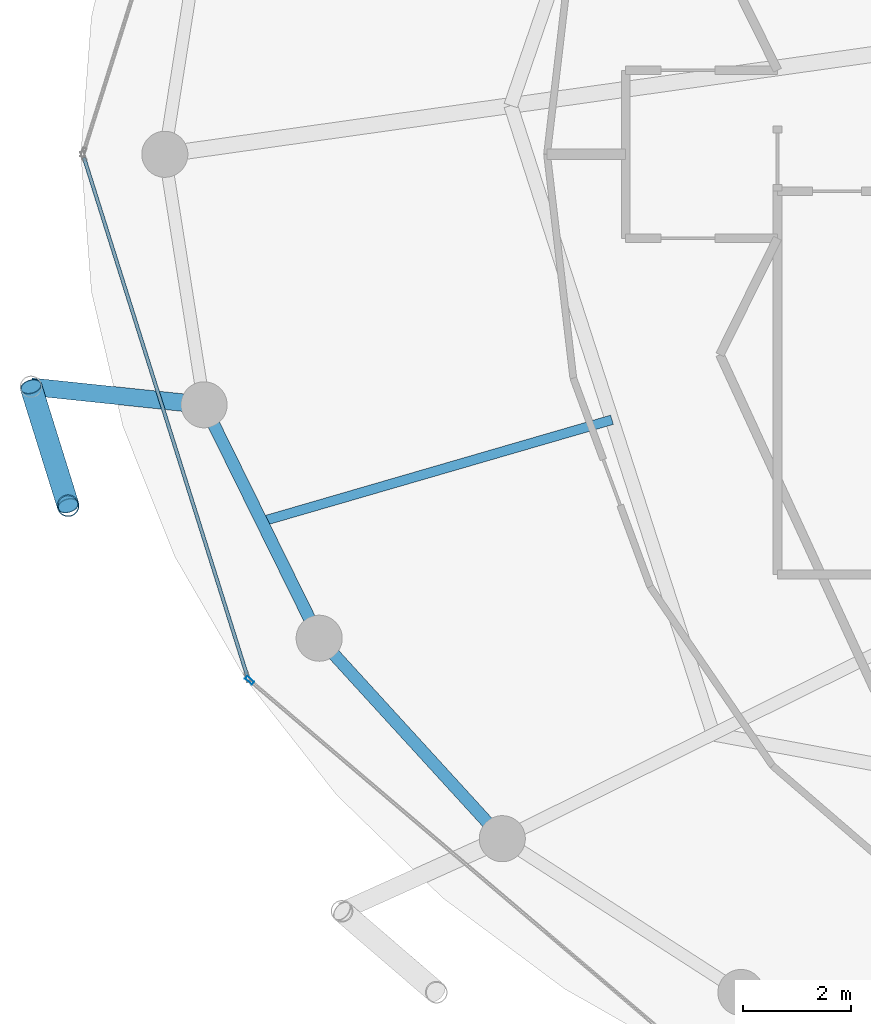
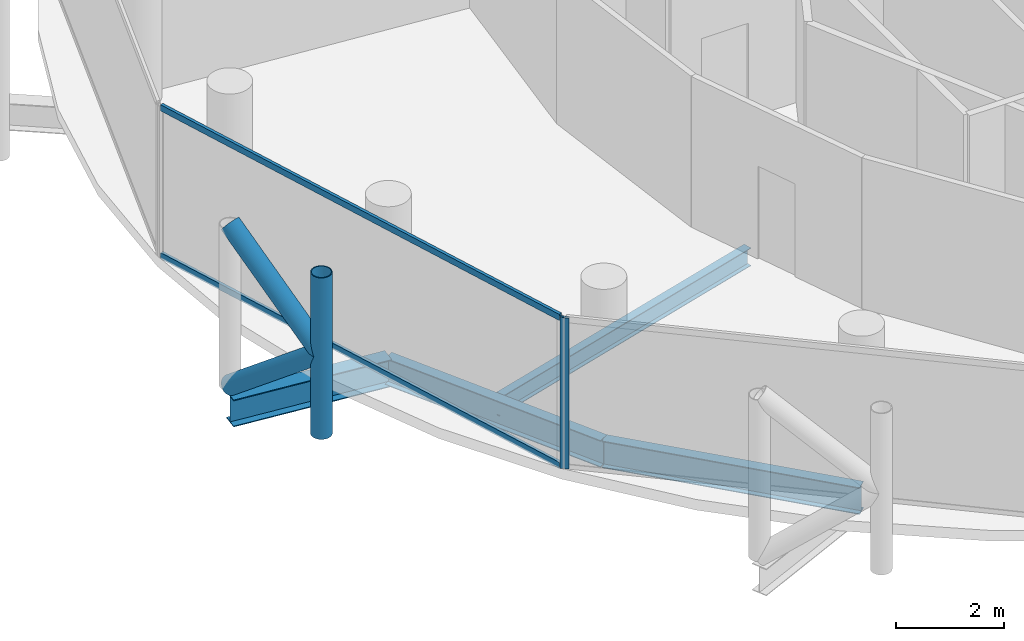
# One storey, part 3 of 27: 6 members, 4 beams, 2 elements without a shape of their own.
"""IFC4 building model written with IfcOpenShell, lengths in metres."""

from ifc_helpers import new_model, si_unit, direction, frame, origin, origin_2d, place, context, subcontext, project, spatial, hollow_rectangle, hollow_circle, i_section, extrude, material, layer, layer_set, material_profile, profile_set, type_object, element, aggregate, save


model = new_model("IFC4")

# Units and contexts
model_context = context("Model", 3, precision=1e-05, world=origin(), true_north=direction((0.0, 1.0)))
body_context = subcontext(model_context, "Body", "Model", "MODEL_VIEW")
ifc_project = project(units=[si_unit("LENGTHUNIT", "METRE"), si_unit("AREAUNIT", "SQUARE_METRE"), si_unit("VOLUMEUNIT", "CUBIC_METRE"), si_unit("PLANEANGLEUNIT", "RADIAN"), si_unit("MASSUNIT", "GRAM", prefix="KILO")], contexts=[model_context])

# Site, building, storey
site_placement = place(None, origin())
site = spatial("IfcSite", under=ifc_project, at=site_placement, CompositionType="ELEMENT")
building_placement = place(site_placement, origin())
building = spatial("IfcBuilding", under=site, at=building_placement, Name="Nuhasar Tower", CompositionType="ELEMENT")
storey_placement = place(building_placement, frame((0.0, 0.0, 248.300048828125)))
storey = spatial("IfcBuildingStorey", under=building, at=storey_placement, Name="L61", CompositionType="ELEMENT", Elevation=248.300048828125)

# Beams
ifc_material_1 = material(Name="Steel S355", Category="steel")
ifc_material_profile_1 = material_profile(ifc_material_1, i_section(OverallWidth=0.177978515625, OverallDepth=0.406005859375, WebThickness=0.0078125, FlangeThickness=0.0126953125, at=origin_2d()), Name="W16X40")
ifc_profile_set_1 = profile_set([ifc_material_profile_1], Name="Steel S355")
beam_type_1 = type_object("IfcBeamType", Name="BM-JST-W16X40", PredefinedType="JOIST", material=ifc_profile_set_1)
beam_1_placement = place(storey_placement, frame((25.9970703125, 21.904052734375, -0.443115234375), z_axis=(-0.960312689798, -0.27892568511, 0.0), x_axis=(0.27892568511, -0.960312689798, 0.0)))
element("IfcBeam", 1, at=beam_1_placement, inside=storey, type_object=beam_type_1, Name="L61 Secondary Floor Joist 08", PredefinedType="JOIST", context=body_context, shape_type="SweptSolid", body=[
    extrude(i_section(OverallWidth=0.177978515625, OverallDepth=0.406005859375, WebThickness=0.0078125, FlangeThickness=0.0126953125, at=origin_2d()), origin(), (0.0, 0.0, 1.0), 6.729248046875),
])
ifc_material_profile_2 = material_profile(ifc_material_1, i_section(OverallWidth=0.22802734375, OverallDepth=0.60791015625, WebThickness=0.01123046875, FlangeThickness=0.017333984375, at=origin_2d()), Name="W24X76")
ifc_profile_set_2 = profile_set([ifc_material_profile_2], Name="Steel S355")
beam_type_2 = type_object("IfcBeamType", Name="BM-RING-W24X76", PredefinedType="SPANDREL", material=ifc_profile_set_2)
beam_2_placement = place(storey_placement, frame((18.47412109375, 22.179931640625, -0.5439453125), z_axis=(0.442262779282, -0.896885518928, 0.0), x_axis=(0.896885518928, 0.442262779282, 0.0)))
element("IfcBeam", 2, at=beam_2_placement, inside=storey, type_object=beam_type_2, Name="L61 Perimeter Ring Spandrel 14", PredefinedType="SPANDREL", context=body_context, shape_type="SweptSolid", body=[
    extrude(i_section(OverallWidth=0.22802734375, OverallDepth=0.60791015625, WebThickness=0.01123046875, FlangeThickness=0.017333984375, at=origin_2d()), origin(), (0.0, 0.0, 1.0), 4.7998046875),
])
beam_3_placement = place(storey_placement, frame((20.596923828125, 17.875, -0.5439453125), z_axis=(0.674449692975, -0.738320805373, 0.0), x_axis=(0.738320805373, 0.674449692975, 0.0)))
element("IfcBeam", 3, at=beam_3_placement, inside=storey, type_object=beam_type_2, Name="L61 Perimeter Ring Spandrel 15", PredefinedType="SPANDREL", context=body_context, shape_type="SweptSolid", body=[
    extrude(i_section(OverallWidth=0.22802734375, OverallDepth=0.60791015625, WebThickness=0.01123046875, FlangeThickness=0.017333984375, at=origin_2d()), origin(), (0.0, 0.0, 1.0), 5.00732421875),
])
ifc_material_profile_3 = material_profile(ifc_material_1, i_section(OverallWidth=0.323974609375, OverallDepth=0.611083984375, WebThickness=0.0126953125, FlangeThickness=0.01904296875, at=origin_2d()), Name="W24X104")
ifc_profile_set_3 = profile_set([ifc_material_profile_3], Name="Steel S355")
beam_type_3 = type_object("IfcBeamType", Name="BM-TIE-W24X104", PredefinedType="BEAM", material=ifc_profile_set_3)
beam_4_placement = place(storey_placement, frame((18.47412109375, 22.179931640625, -0.545166015625), z_axis=(-0.994571111079, 0.10405914187, 0.0), x_axis=(-0.10405914187, -0.994571111079, 0.0)))
element("IfcBeam", 4, at=beam_4_placement, inside=storey, type_object=beam_type_3, Name="L61 Exoskeleton Node Tie Beam 07", PredefinedType="BEAM", context=body_context, shape_type="SweptSolid", body=[
    extrude(i_section(OverallWidth=0.323974609375, OverallDepth=0.611083984375, WebThickness=0.0126953125, FlangeThickness=0.01904296875, at=origin_2d()), origin(), (0.0, 0.0, 1.0), 3.20947265625),
])

# Curtain wall, member
ifc_material_2 = material(Name="Aluminium 6063-T6", Category="aluminium")
ifc_layer = layer(ifc_material_2, 0.18994140625)
ifc_layer_set = layer_set([ifc_layer], Name="Aluminium 6063-T6")
curtain_wall_type = type_object("IfcCurtainWallType", Name="CW-Z3-RES", PredefinedType="NOTDEFINED", material=ifc_layer_set)
curtain_wall_1_placement = place(storey_placement, origin())
curtain_wall_1 = element("IfcCurtainWall", 5, at=curtain_wall_1_placement, inside=storey, type_object=curtain_wall_type, Name="L61 Unitised Curtain Wall 08", PredefinedType="NOTDEFINED")
ifc_material_profile_4 = material_profile(ifc_material_2, hollow_rectangle(XDim=0.06494140625, YDim=0.169921875, WallThickness=0.0048828125, at=origin_2d()), Name="CWM-4")
ifc_profile_set_4 = profile_set([ifc_material_profile_4], Name="Aluminium 6063-T6")
member_type_1 = type_object("IfcMemberType", Name="CW-MUL-S4", PredefinedType="MULLION", material=ifc_profile_set_4)
member_1_placement = place(storey_placement, frame((19.313720703125, 17.098876953125, 0.0), z_axis=(0.0, 0.0, 1.0), x_axis=(0.64789521578, 0.761729472562, 0.0)))
member_1 = element("IfcMember", 6, at=member_1_placement, type_object=member_type_1, Name="CW-Z3 mullion 1", PredefinedType="MULLION", context=body_context, shape_type="SweptSolid", body=[
    extrude(hollow_rectangle(XDim=0.06494140625, YDim=0.169921875, WallThickness=0.0048828125, at=origin_2d()), origin(), (0.0, 0.0, 1.0), 3.409912109375),
])
aggregate(curtain_wall_1, [member_1])

# Curtain wall, members
curtain_wall_2_placement = place(storey_placement, origin())
curtain_wall_2 = element("IfcCurtainWall", 7, at=curtain_wall_2_placement, inside=storey, type_object=curtain_wall_type, Name="L61 Unitised Curtain Wall 07", PredefinedType="NOTDEFINED")
ifc_material_profile_5 = material_profile(ifc_material_2, hollow_rectangle(XDim=0.06494140625, YDim=0.139892578125, WallThickness=0.00439453125, at=origin_2d()), Name="CWT-4")
ifc_profile_set_5 = profile_set([ifc_material_profile_5], Name="Aluminium 6063-T6")
member_type_2 = type_object("IfcMemberType", Name="CW-TRN-S4", PredefinedType="USERDEFINED", material=ifc_profile_set_5)
member_2_placement = place(storey_placement, frame((16.259521484375, 26.738037109375, 0.032470703125), z_axis=(0.300430390604, -0.953803743126, 0.0), x_axis=(0.953803743126, 0.300430390604, 0.0)))
member_2 = element("IfcMember", 8, at=member_2_placement, type_object=member_type_2, Name="CW-Z3 transom 1.1", ObjectType="TRANSOM", PredefinedType="USERDEFINED", context=body_context, shape_type="SweptSolid", body=[
    extrude(hollow_rectangle(XDim=0.06494140625, YDim=0.139892578125, WallThickness=0.00439453125, at=origin_2d()), origin(), (0.0, 0.0, 1.0), 10.01904296875),
])
member_3_placement = place(storey_placement, frame((16.259521484375, 26.738037109375, 3.37744140625), z_axis=(0.300430390604, -0.953803743126, 0.0), x_axis=(0.953803743126, 0.300430390604, 0.0)))
member_3 = element("IfcMember", 9, at=member_3_placement, type_object=member_type_2, Name="CW-Z3 transom 1.2", ObjectType="TRANSOM", PredefinedType="USERDEFINED", context=body_context, shape_type="SweptSolid", body=[
    extrude(hollow_rectangle(XDim=0.06494140625, YDim=0.139892578125, WallThickness=0.00439453125, at=origin_2d()), origin(), (0.0, 0.0, 1.0), 10.01904296875),
])
aggregate(curtain_wall_2, [member_2, member_3])

# Members
ifc_material_3 = material(Name="Steel S460", Category="steel")
ifc_material_profile_6 = material_profile(ifc_material_3, hollow_circle(Radius=0.203125, WallThickness=0.01904296875, at=origin_2d()), Name="HSS406.4X19.1")
ifc_profile_set_6 = profile_set([ifc_material_profile_6], Name="Steel S460")
member_type_3 = type_object("IfcMemberType", Name="EXO-BRONZE-406", PredefinedType="BRACE", material=ifc_profile_set_6)
member_4_placement = place(storey_placement, frame((15.967041015625, 20.319091796875, 0.0), z_axis=(0.0, 0.0, 1.0), x_axis=(1.0, 0.0, 0.0)))
element("IfcMember", 10, at=member_4_placement, inside=storey, type_object=member_type_3, Name="L61 Exoskeleton Chord Column EC-07B", PredefinedType="BRACE", context=body_context, shape_type="SweptSolid", body=[
    extrude(hollow_circle(Radius=0.203125, WallThickness=0.01904296875, at=origin_2d()), origin(), (0.0, 0.0, 1.0), 3.64990234375),
])
for number, where, z_axis, x_axis, name in (
    (11, (15.281982421875, 22.513916015625, 0.0), (0.233372423355, -0.747689980743, 0.621688832709), (0.954581948223, 0.297948492404, 0.0), "L61 Bronze Diagrid Brace W1-07"),
    (12, (15.967041015625, 20.319091796875, 1.824951171875), (-0.233372423355, 0.747689980743, 0.621688832709), (-0.954581948223, -0.297948492404, 0.0), "L61 Bronze Diagrid Brace W2-07"),
):
    element("IfcMember", number, at=place(storey_placement, frame(where, z_axis=z_axis, x_axis=x_axis)), inside=storey, type_object=member_type_3, Name=name, PredefinedType="BRACE", context=body_context, shape_type="SweptSolid", body=[
        extrude(hollow_circle(Radius=0.203125, WallThickness=0.01904296875, at=origin_2d()), origin(), (0.0, 0.0, 1.0), 2.935546875),
    ])

save(model, "model.ifc")
